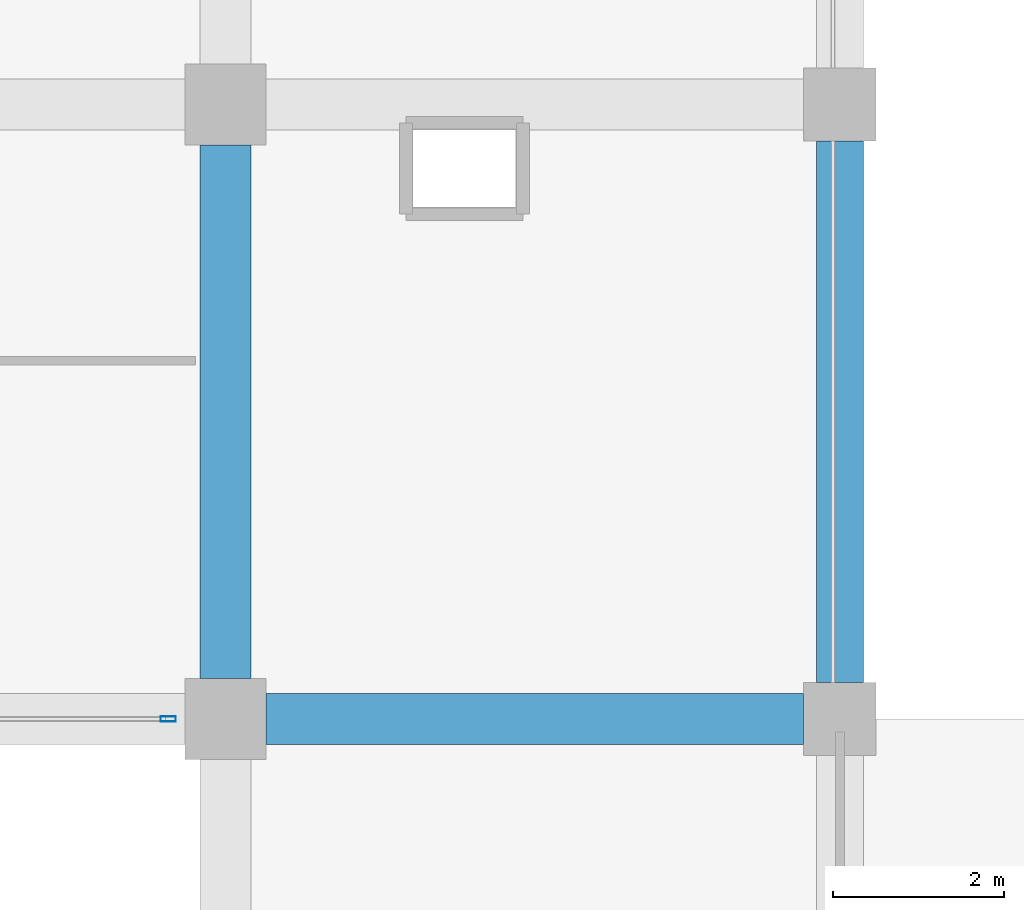
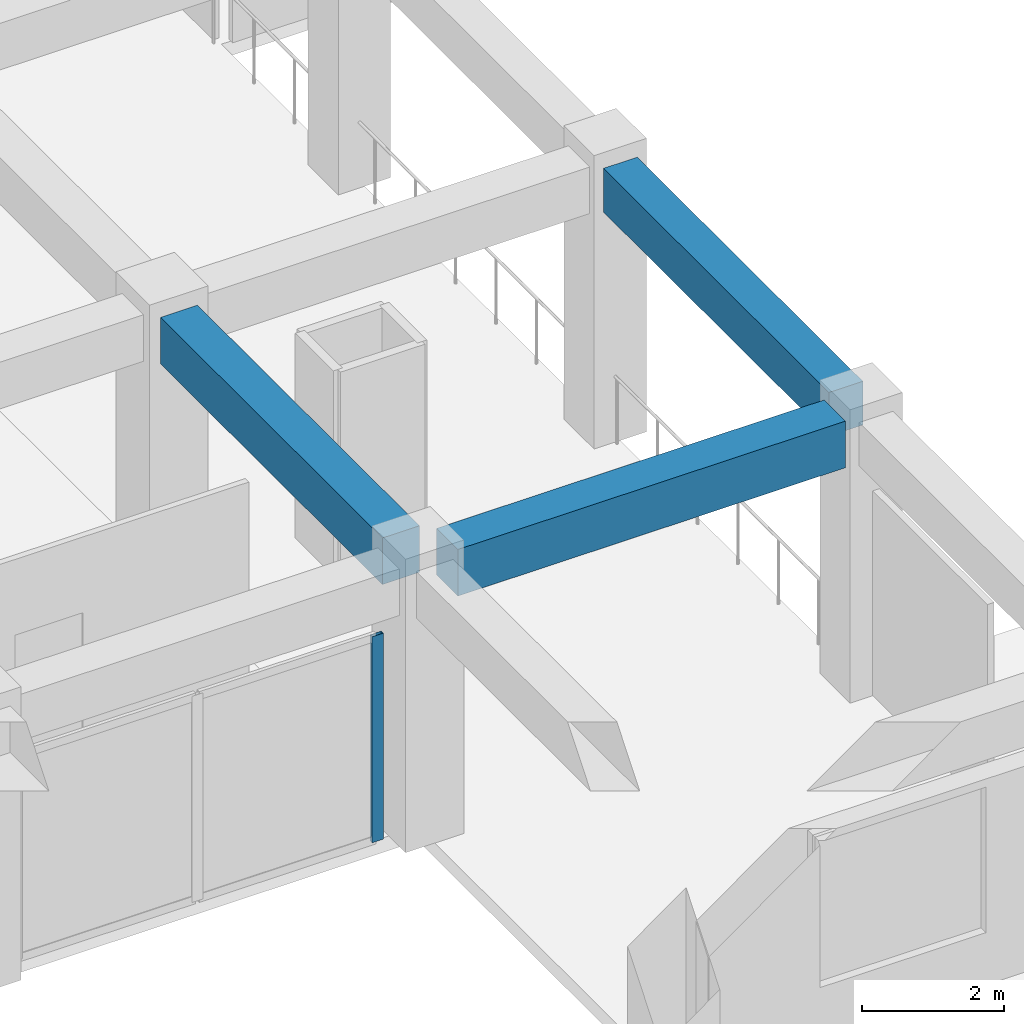
# One storey, part 18 of 54: 3 beams, 1 member, 1 element without a shape of its own.
"""IFC4 building model written with IfcOpenShell, lengths in metres."""

from ifc_helpers import new_model, si_unit, direction, frame, origin, origin_2d, place, context, subcontext, project, spatial, rectangle, hollow_rectangle, extrude, material, material_profile, profile_set, type_object, element, aggregate, save


model = new_model("IFC4")

# Units and contexts
model_context = context("Model", 3, precision=1e-05, world=origin(), true_north=direction((0.0, 1.0)))
body_context = subcontext(model_context, "Body", "Model", "MODEL_VIEW")
ifc_project = project(units=[si_unit("LENGTHUNIT", "METRE"), si_unit("AREAUNIT", "SQUARE_METRE"), si_unit("VOLUMEUNIT", "CUBIC_METRE"), si_unit("PLANEANGLEUNIT", "RADIAN"), si_unit("MASSUNIT", "GRAM", prefix="KILO")], contexts=[model_context])

# Site, building, storey
site_placement = place(None, origin())
site = spatial("IfcSite", under=ifc_project, at=site_placement, CompositionType="ELEMENT")
building_placement = place(site_placement, origin())
building = spatial("IfcBuilding", under=site, at=building_placement, Name="Kazehaya Institute of Natural Sciences", CompositionType="ELEMENT")
storey_placement = place(building_placement, frame((0.0, 0.0, 5.39990234375)))
storey = spatial("IfcBuildingStorey", under=building, at=storey_placement, Name="L01", CompositionType="ELEMENT", Elevation=5.39990234375)

# Beams
ifc_material_1 = material(Name="Concrete Fc36", Category="concrete")
ifc_material_profile_1 = material_profile(ifc_material_1, rectangle(XDim=0.550048828125, YDim=0.75, at=origin_2d()), Name="RC-550x750")
ifc_profile_set_1 = profile_set([ifc_material_profile_1], Name="Concrete Fc36")
beam_type_1 = type_object("IfcBeamType", Name="BM-G-550x750", PredefinedType="BEAM", material=ifc_profile_set_1)
beam_1_placement = place(storey_placement, frame((126.60009765625, 14.425048828125, 4.39501953125), z_axis=(0.0, 1.0, 0.0), x_axis=(-1.0, 0.0, 0.0)))
element("IfcBeam", 1, at=beam_1_placement, inside=storey, type_object=beam_type_1, Name="L01 primary Y girder BMY-L01-1266-140", PredefinedType="BEAM", context=body_context, shape_type="SweptSolid", body=[
    extrude(rectangle(XDim=0.550048828125, YDim=0.75, at=origin_2d()), origin(), (0.0, 0.0, 1.0), 6.349853515625),
])
ifc_material_profile_2 = material_profile(ifc_material_1, rectangle(XDim=0.60009765625, YDim=0.800048828125, at=origin_2d()), Name="RC-600x800")
ifc_profile_set_2 = profile_set([ifc_material_profile_2], Name="Concrete Fc36")
beam_type_2 = type_object("IfcBeamType", Name="BM-G-600x800", PredefinedType="BEAM", material=ifc_profile_set_2)
beam_2_placement = place(storey_placement, frame((119.875, 14.0, 4.3701171875), z_axis=(1.0, 0.0, 0.0), x_axis=(0.0, 1.0, 0.0)))
element("IfcBeam", 2, at=beam_2_placement, inside=storey, type_object=beam_type_2, Name="L01 primary X girder BMX-L01-1194-140", PredefinedType="BEAM", context=body_context, shape_type="SweptSolid", body=[
    extrude(rectangle(XDim=0.60009765625, YDim=0.800048828125, at=origin_2d()), origin(), (0.0, 0.0, 1.0), 6.300048828125),
])
beam_3_placement = place(storey_placement, frame((119.39990234375, 14.47509765625, 4.3701171875), z_axis=(0.0, 1.0, 0.0), x_axis=(-1.0, 0.0, 0.0)))
element("IfcBeam", 3, at=beam_3_placement, inside=storey, type_object=beam_type_2, Name="L01 primary Y girder BMY-L01-1194-140", PredefinedType="BEAM", context=body_context, shape_type="SweptSolid", body=[
    extrude(rectangle(XDim=0.60009765625, YDim=0.800048828125, at=origin_2d()), origin(), (0.0, 0.0, 1.0), 6.25),
])

# Curtain wall, member
ifc_material_2 = material(Name="Aluminium alloy A6063S-T5", Category="aluminium")
curtain_wall_type = type_object("IfcCurtainWallType", Name="CW-SYS-02", PredefinedType="NOTDEFINED", material=ifc_material_2)
curtain_wall_placement = place(storey_placement, origin())
curtain_wall = element("IfcCurtainWall", 4, at=curtain_wall_placement, inside=storey, type_object=curtain_wall_type, Name="L01 unitised curtain wall CW-L01-039", PredefinedType="NOTDEFINED")
ifc_material_profile_3 = material_profile(ifc_material_2, hollow_rectangle(XDim=0.06005859375, YDim=0.179931640625, WallThickness=0.00390625, at=origin_2d()), Name="ALU-60x180x4")
ifc_profile_set_3 = profile_set([ifc_material_profile_3], Name="Aluminium alloy A6063S-T5")
member_type = type_object("IfcMemberType", Name="CWM-180", PredefinedType="MULLION", material=ifc_profile_set_3)
member_placement = place(storey_placement, frame((118.72998046875, 14.0, 0.0), z_axis=(0.0, 0.0, 1.0), x_axis=(0.0, -1.0, 0.0)))
member = element("IfcMember", 5, at=member_placement, type_object=member_type, Name="CW02 mullion 1", PredefinedType="MULLION", context=body_context, shape_type="SweptSolid", body=[
    extrude(hollow_rectangle(XDim=0.06005859375, YDim=0.179931640625, WallThickness=0.00390625, at=origin_2d()), origin(), (0.0, 0.0, 1.0), 3.5400390625),
])
aggregate(curtain_wall, [member])

save(model, "model.ifc")
